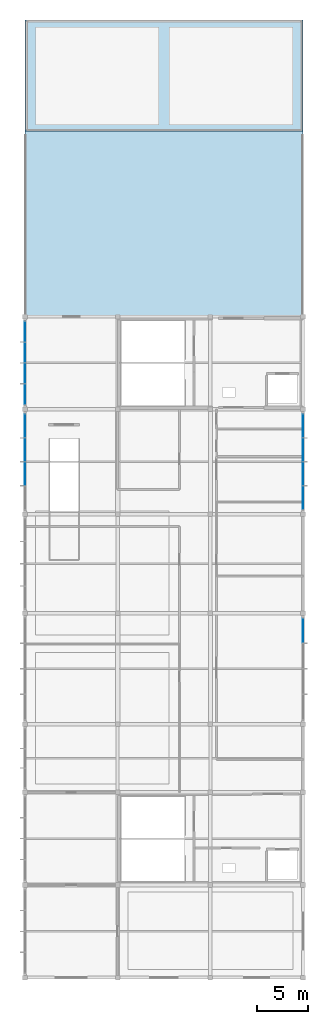
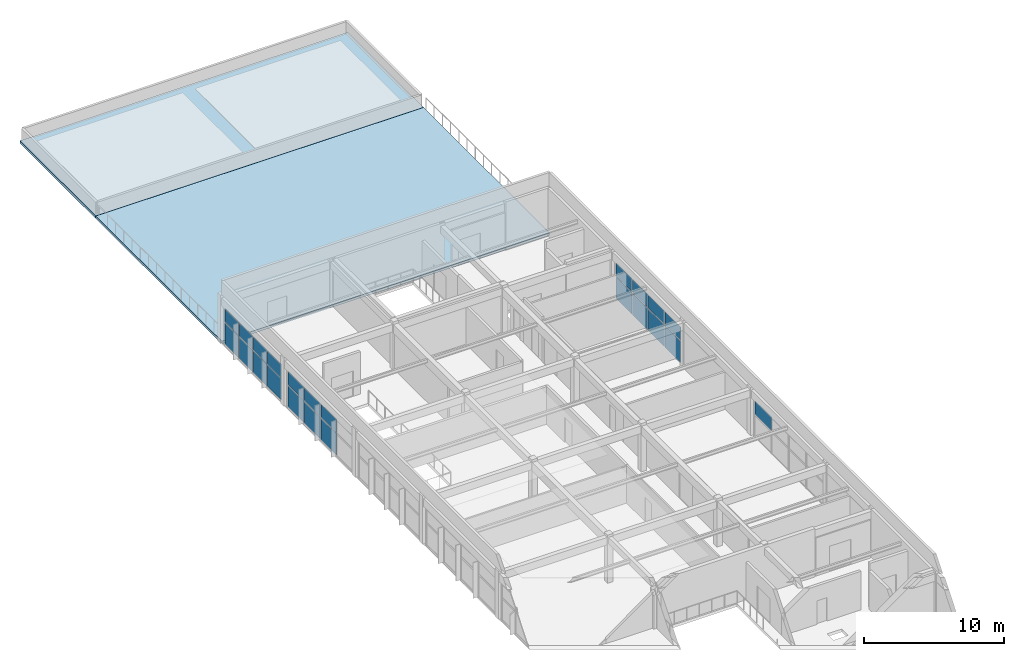
# One storey, part 6 of 10: 23 plates, 2 slabs, 4 elements without a shape of their own.
"""IFC4 building model written with IfcOpenShell, lengths in metres."""

import ifcopenshell
import ifcopenshell.guid

model = None  # the IFC model being written
_history = None  # IfcOwnerHistory: only IFC2X3 demands one
_inside = {}  # id of a spatial element -> (the spatial element, [elements in it])
_under = {}  # id of a project, library or spatial element -> (it, [spatial elements below it])
_declared = {}  # id of a project -> (the project, [libraries it declares])
_typed = {}  # id of a type object -> (the type object, [elements of that type])
_made_of = {}  # id of a material, layer set ... -> (it, [elements and type objects made of it])


def new_model(schema):
    """Start an empty IFC model of exactly this schema.

    Asked for "IFC4X3", IfcOpenShell would pick the latest addendum, in which some entities
    have other attributes; the version numbers below select the first issue.
    IFC2X3 requires an IfcOwnerHistory on every rooted entity: one is made here for all.
    """
    global model, _history
    if schema == "IFC4X3":
        model = ifcopenshell.file(schema_version=(4, 3, 0, 0))
    else:
        model = ifcopenshell.file(schema=schema)
    _inside.clear()
    _under.clear()
    _declared.clear()
    _typed.clear()
    _made_of.clear()
    _history = None
    if model.schema == "IFC2X3":
        org = make("IfcOrganization", Name="unknown")
        user = make(
            "IfcPersonAndOrganization",
            ThePerson=make("IfcPerson", FamilyName="unknown"),
            TheOrganization=org,
        )
        app = make(
            "IfcApplication",
            ApplicationDeveloper=org,
            Version="unknown",
            ApplicationFullName="unknown",
            ApplicationIdentifier="unknown",
        )
        _history = make(
            "IfcOwnerHistory",
            OwningUser=user,
            OwningApplication=app,
            ChangeAction="ADDED",
            CreationDate=0,
        )
    return model


def make(cls, **values):
    """One entity of the class cls with the attributes given. An attribute that is None is left unset."""
    return model.create_entity(
        cls, **{name: value for name, value in values.items() if value is not None}
    )


def rooted(cls, **values):
    """An entity with a GlobalId (a new one), such as an element, a storey or a relation."""
    return make(cls, GlobalId=ifcopenshell.guid.new(), OwnerHistory=_history, **values)


def si_unit(unit_type, name, prefix=None):
    """IfcSIUnit, for example si_unit("LENGTHUNIT", "METRE", prefix="MILLI")."""
    return make("IfcSIUnit", UnitType=unit_type, Prefix=prefix, Name=name)


def assignment(units):
    """IfcUnitAssignment: the units of a project."""
    return None if units is None else make("IfcUnitAssignment", Units=units)


def point(xyz):
    """IfcCartesianPoint."""
    return None if xyz is None else make("IfcCartesianPoint", Coordinates=xyz)


def direction(xyz):
    """IfcDirection."""
    return None if xyz is None else make("IfcDirection", DirectionRatios=xyz)


def frame(location, z_axis=None, x_axis=None):
    """IfcAxis2Placement3D, a coordinate frame: its origin and axes. An axis left out is left unset."""
    return make(
        "IfcAxis2Placement3D",
        Location=point(location),
        Axis=direction(z_axis),
        RefDirection=direction(x_axis),
    )


def origin():
    """The frame at (0, 0, 0) with its axes left unset."""
    return frame((0.0, 0.0, 0.0))


def place(relative_to, where):
    """IfcLocalPlacement: puts the frame where relative to a parent placement (None: the world)."""
    return make(
        "IfcLocalPlacement", PlacementRelTo=relative_to, RelativePlacement=where
    )


def context(
    kind, dimensions, precision=None, world=None, true_north=None, identifier=None
):
    """IfcGeometricRepresentationContext, for example the 3D "Model" context."""
    return make(
        "IfcGeometricRepresentationContext",
        ContextIdentifier=identifier,
        ContextType=kind,
        CoordinateSpaceDimension=dimensions,
        Precision=precision,
        WorldCoordinateSystem=world,
        TrueNorth=true_north,
    )


def subcontext(parent, identifier, kind, view, scale=None):
    """IfcGeometricRepresentationSubContext, for example "Body" below "Model"."""
    return make(
        "IfcGeometricRepresentationSubContext",
        ContextIdentifier=identifier,
        ContextType=kind,
        ParentContext=parent,
        TargetScale=scale,
        TargetView=view,
    )


def project(units=None, contexts=None):
    """IfcProject with its units and contexts."""
    return rooted(
        "IfcProject",
        Name="project",
        RepresentationContexts=contexts,
        UnitsInContext=assignment(units),
    )


def spatial(cls, under=None, at=None, **own):
    """A site, building, storey or space (cls), placed at a placement, below another one or the project."""
    s = rooted(cls, ObjectPlacement=at, **own)
    if under is not None:
        _under.setdefault(under.id(), (under, []))[1].append(s)
    return s


def polyline(points):
    """IfcPolyline through the points."""
    return make("IfcPolyline", Points=[point(p) for p in points])


def outline(outer, holes=None, kind="AREA"):
    """IfcArbitraryClosedProfileDef: a profile drawn as a closed curve; with holes, ...WithVoids."""
    if holes is None:
        return make("IfcArbitraryClosedProfileDef", ProfileType=kind, OuterCurve=outer)
    return make(
        "IfcArbitraryProfileDefWithVoids",
        ProfileType=kind,
        OuterCurve=outer,
        InnerCurves=holes,
    )


def extrude(swept, where, along, depth):
    """IfcExtrudedAreaSolid: the profile swept, set in the frame where, extruded along a direction by depth."""
    return make(
        "IfcExtrudedAreaSolid",
        SweptArea=swept,
        Position=where,
        ExtrudedDirection=direction(along),
        Depth=depth,
    )


def shape(context_of_items, identifier, shape_type, items):
    """IfcShapeRepresentation: the items that make up one representation, for example the "Body"."""
    return make(
        "IfcShapeRepresentation",
        ContextOfItems=context_of_items,
        RepresentationIdentifier=identifier,
        RepresentationType=shape_type,
        Items=items,
    )


def material(Name=None, Category=None):
    """IfcMaterial."""
    return make("IfcMaterial", Name=Name, Category=Category)


def layer(
    of_material, thickness, ventilated=None, Name=None, Category=None, Priority=None
):
    """IfcMaterialLayer: one layer of a wall or slab, of a material (None: an air gap)."""
    return make(
        "IfcMaterialLayer",
        Material=of_material,
        LayerThickness=thickness,
        IsVentilated=ventilated,
        Name=Name,
        Category=Category,
        Priority=Priority,
    )


def layer_set(layers, Name=None):
    """IfcMaterialLayerSet."""
    return make("IfcMaterialLayerSet", MaterialLayers=layers, LayerSetName=Name)


def made_of(thing, what):
    """Note that an element or type object is made of a material, layer set ...; save() writes the relation."""
    if what is not None:
        _made_of.setdefault(what.id(), (what, []))[1].append(thing)
    return thing


def type_object(cls, material=None, **own):
    """A type object (cls), such as IfcWallType, which elements share."""
    return made_of(rooted(cls, **own), material)


def element(
    cls,
    number,
    at=None,
    inside=None,
    cuts=None,
    type_object=None,
    material=None,
    context=None,
    identifier="Body",
    shape_type=None,
    held_by="IfcProductDefinitionShape",
    body=None,
    shapes=None,
    **own,
):
    """One element of the class cls, such as IfcWall. Its Tag is "e" and its number.

    at: its placement. inside: the storey or other place that contains it. cuts: it is an
    opening in that element (IfcRelVoidsElement). A single representation is given by context,
    identifier, shape_type and body (its items); several are given by shapes. held_by: the class
    of the entity that holds the representations. save() writes the other relations.
    """
    e = rooted(cls, Tag="e%d" % number, ObjectPlacement=at, **own)
    if body is not None:
        shapes = [shape(context, identifier, shape_type, body)]
    if shapes is not None:
        e.Representation = make(held_by, Representations=shapes)
    if inside is not None:
        _inside.setdefault(inside.id(), (inside, []))[1].append(e)
    if cuts is not None:
        rooted(
            "IfcRelVoidsElement", RelatingBuildingElement=cuts, RelatedOpeningElement=e
        )
    if type_object is not None:
        _typed.setdefault(type_object.id(), (type_object, []))[1].append(e)
    return made_of(e, material)


def aggregate(whole, parts):
    """IfcRelAggregates: a whole, such as a stair, and the parts it consists of."""
    return rooted("IfcRelAggregates", RelatingObject=whole, RelatedObjects=parts)


def save(model, path):
    """Write the relations noted so far, then the file.

    IfcRelAggregates (storeys below a building ...), IfcRelContainedInSpatialStructure (elements
    in a storey), IfcRelDefinesByType, IfcRelAssociatesMaterial and IfcRelDeclares: one each for
    every whole, place, type object, material and project.
    """
    for whole, parts in _under.values():
        aggregate(whole, parts)
    for where, things in _inside.values():
        rooted(
            "IfcRelContainedInSpatialStructure",
            RelatedElements=things,
            RelatingStructure=where,
        )
    for kind, things in _typed.values():
        rooted("IfcRelDefinesByType", RelatedObjects=things, RelatingType=kind)
    for what, things in _made_of.values():
        rooted("IfcRelAssociatesMaterial", RelatedObjects=things, RelatingMaterial=what)
    for by, libraries in _declared.values():
        rooted("IfcRelDeclares", RelatingContext=by, RelatedDefinitions=libraries)
    model.write(path)


model = new_model("IFC4")

# Units and contexts
model_context = context("Model", 3, precision=1e-05, world=origin(), true_north=direction((0.0, 1.0)))
body_context = subcontext(model_context, "Body", "Model", "MODEL_VIEW")
ifc_project = project(units=[si_unit("LENGTHUNIT", "METRE"), si_unit("AREAUNIT", "SQUARE_METRE"), si_unit("VOLUMEUNIT", "CUBIC_METRE"), si_unit("PLANEANGLEUNIT", "RADIAN"), si_unit("MASSUNIT", "GRAM", prefix="KILO")], contexts=[model_context])

# Site, building, storey
site_placement = place(None, origin())
site = spatial("IfcSite", under=ifc_project, at=site_placement, CompositionType="ELEMENT")
building_placement = place(site_placement, origin())
building = spatial("IfcBuilding", under=site, at=building_placement, Name="Suirenkawa Promenade Aquatics Centre", CompositionType="ELEMENT")
storey_placement = place(building_placement, frame((0.0, 0.0, 18.60009765625)))
storey = spatial("IfcBuildingStorey", under=building, at=storey_placement, Name="L04", CompositionType="ELEMENT", Elevation=18.60009765625)

# Curtain wall, plate
ifc_material_1 = material(Name="Anodised aluminium 6063-T6", Category="aluminium")
curtain_wall_type_1 = type_object("IfcCurtainWallType", Name="CWAT-V5EL04-82", PredefinedType="NOTDEFINED", material=ifc_material_1)
curtain_wall_1_placement = place(storey_placement, origin())
curtain_wall_1 = element("IfcCurtainWall", 1, at=curtain_wall_1_placement, inside=storey, type_object=curtain_wall_type_1, Name="Curtain wall CWA-82 CW-149", PredefinedType="NOTDEFINED")
ifc_material_2 = material(Name="Low-E thermally broken double glazing", Category="glass")
ifc_layer_1 = layer(ifc_material_2, 0.028076171875, Name="Low-E thermally broken double glazing", Category="glass")
ifc_layer_set_1 = layer_set([ifc_layer_1], Name="Low-E thermally broken double glazing")
plate_type_1 = type_object("IfcPlateType", Name="CWP-LOWE-28", PredefinedType="CURTAIN_PANEL", material=ifc_layer_set_1)
plate_1_placement = place(storey_placement, frame((27.0, 39.15087890625, 1.989990234375), z_axis=(0.0, 0.0, 1.0), x_axis=(0.0, -1.0, 0.0)))
plate_1 = element("IfcPlate", 2, at=plate_1_placement, type_object=plate_type_1, Name="Top glazed panel CP-02 CWP-03047", PredefinedType="CURTAIN_PANEL", context=body_context, shape_type="SweptSolid", body=[
    extrude(outline(polyline([(0.0400390625, 0.0), (2.435546875, 0.0), (2.435546875, 1.14501953125), (0.0400390625, 1.14501953125), (0.0400390625, 0.0)])), frame((0.0, 0.01416015625, 0.0), z_axis=(0.0, -1.0, 0.0), x_axis=(1.0, 0.0, 0.0)), (0.0, 0.0, 1.0), 0.028076171875),
])
aggregate(curtain_wall_1, [plate_1])

# Curtain wall, plates
curtain_wall_type_2 = type_object("IfcCurtainWallType", Name="CWAT-V5EL04-85", PredefinedType="NOTDEFINED", material=ifc_material_1)
curtain_wall_2_placement = place(storey_placement, origin())
curtain_wall_2 = element("IfcCurtainWall", 3, at=curtain_wall_2_placement, inside=storey, type_object=curtain_wall_type_2, Name="Curtain wall CWA-85 CW-152", PredefinedType="NOTDEFINED")
plate_2_placement = place(storey_placement, frame((27.0, 58.950927734375, 0.039794921875), z_axis=(0.0, 0.0, 1.0), x_axis=(0.0, -1.0, 0.0)))
plate_2 = element("IfcPlate", 4, at=plate_2_placement, type_object=plate_type_1, Name="Glazed panel CP-02 CWP-03112", PredefinedType="CURTAIN_PANEL", context=body_context, shape_type="SweptSolid", body=[
    extrude(outline(polyline([(0.0400390625, 0.0), (2.285400390625, 0.0), (2.285400390625, 1.8701171875), (0.0400390625, 1.8701171875), (0.0400390625, 0.0)])), frame((0.0, 0.01416015625, 0.0), z_axis=(0.0, -1.0, 0.0), x_axis=(1.0, 0.0, 0.0)), (0.0, 0.0, 1.0), 0.028076171875),
])
plate_3_placement = place(storey_placement, frame((27.0, 58.950927734375, 1.989990234375), z_axis=(0.0, 0.0, 1.0), x_axis=(0.0, -1.0, 0.0)))
plate_3 = element("IfcPlate", 5, at=plate_3_placement, type_object=plate_type_1, Name="Top glazed panel CP-02 CWP-03113", PredefinedType="CURTAIN_PANEL", context=body_context, shape_type="SweptSolid", body=[
    extrude(outline(polyline([(0.0400390625, 0.0), (2.285400390625, 0.0), (2.285400390625, 1.14501953125), (0.0400390625, 1.14501953125), (0.0400390625, 0.0)])), frame((0.0, 0.01416015625, 0.0), z_axis=(0.0, -1.0, 0.0), x_axis=(1.0, 0.0, 0.0)), (0.0, 0.0, 1.0), 0.028076171875),
])
plate_4_placement = place(storey_placement, frame((27.0, 56.62548828125, 0.039794921875), z_axis=(0.0, 0.0, 1.0), x_axis=(0.0, -1.0, 0.0)))
plate_4 = element("IfcPlate", 6, at=plate_4_placement, type_object=plate_type_1, Name="Glazed panel CP-02 CWP-03114", PredefinedType="CURTAIN_PANEL", context=body_context, shape_type="SweptSolid", body=[
    extrude(outline(polyline([(0.0400390625, 0.0), (2.285400390625, 0.0), (2.285400390625, 1.8701171875), (0.0400390625, 1.8701171875), (0.0400390625, 0.0)])), frame((0.0, 0.01416015625, 0.0), z_axis=(0.0, -1.0, 0.0), x_axis=(1.0, 0.0, 0.0)), (0.0, 0.0, 1.0), 0.028076171875),
])
plate_5_placement = place(storey_placement, frame((27.0, 56.62548828125, 1.989990234375), z_axis=(0.0, 0.0, 1.0), x_axis=(0.0, -1.0, 0.0)))
plate_5 = element("IfcPlate", 7, at=plate_5_placement, type_object=plate_type_1, Name="Top glazed panel CP-02 CWP-03115", PredefinedType="CURTAIN_PANEL", context=body_context, shape_type="SweptSolid", body=[
    extrude(outline(polyline([(0.0400390625, 0.0), (2.285400390625, 0.0), (2.285400390625, 1.14501953125), (0.0400390625, 1.14501953125), (0.0400390625, 0.0)])), frame((0.0, 0.01416015625, 0.0), z_axis=(0.0, -1.0, 0.0), x_axis=(1.0, 0.0, 0.0)), (0.0, 0.0, 1.0), 0.028076171875),
])
plate_6_placement = place(storey_placement, frame((27.0, 54.300048828125, 0.039794921875), z_axis=(0.0, 0.0, 1.0), x_axis=(0.0, -1.0, 0.0)))
plate_6 = element("IfcPlate", 8, at=plate_6_placement, type_object=plate_type_1, Name="Glazed panel CP-02 CWP-03116", PredefinedType="CURTAIN_PANEL", context=body_context, shape_type="SweptSolid", body=[
    extrude(outline(polyline([(0.0400390625, 0.0), (2.285400390625, 0.0), (2.285400390625, 1.8701171875), (0.0400390625, 1.8701171875), (0.0400390625, 0.0)])), frame((0.0, 0.01416015625, 0.0), z_axis=(0.0, -1.0, 0.0), x_axis=(1.0, 0.0, 0.0)), (0.0, 0.0, 1.0), 0.028076171875),
])
plate_7_placement = place(storey_placement, frame((27.0, 54.300048828125, 1.989990234375), z_axis=(0.0, 0.0, 1.0), x_axis=(0.0, -1.0, 0.0)))
plate_7 = element("IfcPlate", 9, at=plate_7_placement, type_object=plate_type_1, Name="Top glazed panel CP-02 CWP-03117", PredefinedType="CURTAIN_PANEL", context=body_context, shape_type="SweptSolid", body=[
    extrude(outline(polyline([(0.0400390625, 0.0), (2.285400390625, 0.0), (2.285400390625, 1.14501953125), (0.0400390625, 1.14501953125), (0.0400390625, 0.0)])), frame((0.0, 0.01416015625, 0.0), z_axis=(0.0, -1.0, 0.0), x_axis=(1.0, 0.0, 0.0)), (0.0, 0.0, 1.0), 0.028076171875),
])
plate_8_placement = place(storey_placement, frame((27.0, 51.974609375, 0.039794921875), z_axis=(0.0, 0.0, 1.0), x_axis=(0.0, -1.0, 0.0)))
plate_8 = element("IfcPlate", 10, at=plate_8_placement, type_object=plate_type_1, Name="Glazed panel CP-02 CWP-03118", PredefinedType="CURTAIN_PANEL", context=body_context, shape_type="SweptSolid", body=[
    extrude(outline(polyline([(0.0400390625, 0.0), (2.285400390625, 0.0), (2.285400390625, 1.8701171875), (0.0400390625, 1.8701171875), (0.0400390625, 0.0)])), frame((0.0, 0.01416015625, 0.0), z_axis=(0.0, -1.0, 0.0), x_axis=(1.0, 0.0, 0.0)), (0.0, 0.0, 1.0), 0.028076171875),
])
plate_9_placement = place(storey_placement, frame((27.0, 51.974609375, 1.989990234375), z_axis=(0.0, 0.0, 1.0), x_axis=(0.0, -1.0, 0.0)))
plate_9 = element("IfcPlate", 11, at=plate_9_placement, type_object=plate_type_1, Name="Top glazed panel CP-02 CWP-03119", PredefinedType="CURTAIN_PANEL", context=body_context, shape_type="SweptSolid", body=[
    extrude(outline(polyline([(0.0400390625, 0.0), (2.285400390625, 0.0), (2.285400390625, 1.14501953125), (0.0400390625, 1.14501953125), (0.0400390625, 0.0)])), frame((0.0, 0.01416015625, 0.0), z_axis=(0.0, -1.0, 0.0), x_axis=(1.0, 0.0, 0.0)), (0.0, 0.0, 1.0), 0.028076171875),
])
aggregate(curtain_wall_2, [plate_2, plate_3, plate_4, plate_5, plate_6, plate_7, plate_8, plate_9])

curtain_wall_type_3 = type_object("IfcCurtainWallType", Name="CWAT-V5WL04-84", PredefinedType="NOTDEFINED", material=ifc_material_1)
curtain_wall_3_placement = place(storey_placement, origin())
curtain_wall_3 = element("IfcCurtainWall", 12, at=curtain_wall_3_placement, inside=storey, type_object=curtain_wall_type_3, Name="Curtain wall CWA-84 CW-151", PredefinedType="NOTDEFINED")
ifc_material_3 = material(Name="Ceramic-fritted low-SHGC double glazing", Category="glass")
ifc_layer_2 = layer(ifc_material_3, 0.035888671875, Name="Ceramic-fritted low-SHGC double glazing", Category="glass")
ifc_layer_set_2 = layer_set([ifc_layer_2], Name="Ceramic-fritted low-SHGC double glazing")
plate_type_2 = type_object("IfcPlateType", Name="CWP-SHOJI-36", PredefinedType="CURTAIN_PANEL", material=ifc_layer_set_2)
plate_10_placement = place(storey_placement, frame((0.0, 51.974609375, 0.039794921875), z_axis=(0.0, 0.0, 1.0), x_axis=(0.0, 1.0, 0.0)))
plate_10 = element("IfcPlate", 13, at=plate_10_placement, type_object=plate_type_2, Name="Glazed panel CP-01 CWP-03092", PredefinedType="CURTAIN_PANEL", context=body_context, shape_type="SweptSolid", body=[
    extrude(outline(polyline([(0.0400390625, 0.0), (2.285400390625, 0.0), (2.285400390625, 1.8701171875), (0.0400390625, 1.8701171875), (0.0400390625, 0.0)])), frame((0.0, 0.01806640625, 0.0), z_axis=(0.0, -1.0, 0.0), x_axis=(1.0, 0.0, 0.0)), (0.0, 0.0, 1.0), 0.035888671875),
])
plate_11_placement = place(storey_placement, frame((0.0, 51.974609375, 1.989990234375), z_axis=(0.0, 0.0, 1.0), x_axis=(0.0, 1.0, 0.0)))
plate_11 = element("IfcPlate", 14, at=plate_11_placement, type_object=plate_type_2, Name="Top glazed panel CP-01 CWP-03093", PredefinedType="CURTAIN_PANEL", context=body_context, shape_type="SweptSolid", body=[
    extrude(outline(polyline([(0.0400390625, 0.0), (2.285400390625, 0.0), (2.285400390625, 1.14501953125), (0.0400390625, 1.14501953125), (0.0400390625, 0.0)])), frame((0.0, 0.01806640625, 0.0), z_axis=(0.0, -1.0, 0.0), x_axis=(1.0, 0.0, 0.0)), (0.0, 0.0, 1.0), 0.035888671875),
])
plate_12_placement = place(storey_placement, frame((0.0, 54.300048828125, 0.039794921875), z_axis=(0.0, 0.0, 1.0), x_axis=(0.0, 1.0, 0.0)))
plate_12 = element("IfcPlate", 15, at=plate_12_placement, type_object=plate_type_2, Name="Glazed panel CP-01 CWP-03094", PredefinedType="CURTAIN_PANEL", context=body_context, shape_type="SweptSolid", body=[
    extrude(outline(polyline([(0.0400390625, 0.0), (2.285400390625, 0.0), (2.285400390625, 1.8701171875), (0.0400390625, 1.8701171875), (0.0400390625, 0.0)])), frame((0.0, 0.01806640625, 0.0), z_axis=(0.0, -1.0, 0.0), x_axis=(1.0, 0.0, 0.0)), (0.0, 0.0, 1.0), 0.035888671875),
])
plate_13_placement = place(storey_placement, frame((0.0, 54.300048828125, 1.989990234375), z_axis=(0.0, 0.0, 1.0), x_axis=(0.0, 1.0, 0.0)))
plate_13 = element("IfcPlate", 16, at=plate_13_placement, type_object=plate_type_2, Name="Top glazed panel CP-01 CWP-03095", PredefinedType="CURTAIN_PANEL", context=body_context, shape_type="SweptSolid", body=[
    extrude(outline(polyline([(0.0400390625, 0.0), (2.285400390625, 0.0), (2.285400390625, 1.14501953125), (0.0400390625, 1.14501953125), (0.0400390625, 0.0)])), frame((0.0, 0.01806640625, 0.0), z_axis=(0.0, -1.0, 0.0), x_axis=(1.0, 0.0, 0.0)), (0.0, 0.0, 1.0), 0.035888671875),
])
plate_14_placement = place(storey_placement, frame((0.0, 56.62548828125, 0.039794921875), z_axis=(0.0, 0.0, 1.0), x_axis=(0.0, 1.0, 0.0)))
plate_14 = element("IfcPlate", 17, at=plate_14_placement, type_object=plate_type_2, Name="Glazed panel CP-01 CWP-03096", PredefinedType="CURTAIN_PANEL", context=body_context, shape_type="SweptSolid", body=[
    extrude(outline(polyline([(0.0400390625, 0.0), (2.285400390625, 0.0), (2.285400390625, 1.8701171875), (0.0400390625, 1.8701171875), (0.0400390625, 0.0)])), frame((0.0, 0.01806640625, 0.0), z_axis=(0.0, -1.0, 0.0), x_axis=(1.0, 0.0, 0.0)), (0.0, 0.0, 1.0), 0.035888671875),
])
plate_15_placement = place(storey_placement, frame((0.0, 56.62548828125, 1.989990234375), z_axis=(0.0, 0.0, 1.0), x_axis=(0.0, 1.0, 0.0)))
plate_15 = element("IfcPlate", 18, at=plate_15_placement, type_object=plate_type_2, Name="Top glazed panel CP-01 CWP-03097", PredefinedType="CURTAIN_PANEL", context=body_context, shape_type="SweptSolid", body=[
    extrude(outline(polyline([(0.0400390625, 0.0), (2.285400390625, 0.0), (2.285400390625, 1.14501953125), (0.0400390625, 1.14501953125), (0.0400390625, 0.0)])), frame((0.0, 0.01806640625, 0.0), z_axis=(0.0, -1.0, 0.0), x_axis=(1.0, 0.0, 0.0)), (0.0, 0.0, 1.0), 0.035888671875),
])
aggregate(curtain_wall_3, [plate_10, plate_11, plate_12, plate_13, plate_14, plate_15])

curtain_wall_type_4 = type_object("IfcCurtainWallType", Name="CWAT-V5WL04-79", PredefinedType="NOTDEFINED", material=ifc_material_1)
curtain_wall_4_placement = place(storey_placement, origin())
curtain_wall_4 = element("IfcCurtainWall", 19, at=curtain_wall_4_placement, inside=storey, type_object=curtain_wall_type_4, Name="Curtain wall CWA-79 CW-153", PredefinedType="NOTDEFINED")
plate_16_placement = place(storey_placement, frame((0.0, 59.84912109375, 0.039794921875), z_axis=(0.0, 0.0, 1.0), x_axis=(0.0, 1.0, 0.0)))
plate_16 = element("IfcPlate", 20, at=plate_16_placement, type_object=plate_type_2, Name="Glazed panel CP-01 CWP-03134", PredefinedType="CURTAIN_PANEL", context=body_context, shape_type="SweptSolid", body=[
    extrude(outline(polyline([(0.0400390625, 0.0), (1.985595703125, 0.0), (1.985595703125, 1.8701171875), (0.0400390625, 1.8701171875), (0.0400390625, 0.0)])), frame((0.0, 0.01806640625, 0.0), z_axis=(0.0, -1.0, 0.0), x_axis=(1.0, 0.0, 0.0)), (0.0, 0.0, 1.0), 0.035888671875),
])
plate_17_placement = place(storey_placement, frame((0.0, 59.84912109375, 1.989990234375), z_axis=(0.0, 0.0, 1.0), x_axis=(0.0, 1.0, 0.0)))
plate_17 = element("IfcPlate", 21, at=plate_17_placement, type_object=plate_type_2, Name="Top glazed panel CP-01 CWP-03135", PredefinedType="CURTAIN_PANEL", context=body_context, shape_type="SweptSolid", body=[
    extrude(outline(polyline([(0.0400390625, 0.0), (1.985595703125, 0.0), (1.985595703125, 1.14501953125), (0.0400390625, 1.14501953125), (0.0400390625, 0.0)])), frame((0.0, 0.01806640625, 0.0), z_axis=(0.0, -1.0, 0.0), x_axis=(1.0, 0.0, 0.0)), (0.0, 0.0, 1.0), 0.035888671875),
])
plate_18_placement = place(storey_placement, frame((0.0, 61.87451171875, 0.039794921875), z_axis=(0.0, 0.0, 1.0), x_axis=(0.0, 1.0, 0.0)))
plate_18 = element("IfcPlate", 22, at=plate_18_placement, type_object=plate_type_2, Name="Glazed panel CP-01 CWP-03136", PredefinedType="CURTAIN_PANEL", context=body_context, shape_type="SweptSolid", body=[
    extrude(outline(polyline([(0.0400390625, 0.0), (1.985595703125, 0.0), (1.985595703125, 1.8701171875), (0.0400390625, 1.8701171875), (0.0400390625, 0.0)])), frame((0.0, 0.01806640625, 0.0), z_axis=(0.0, -1.0, 0.0), x_axis=(1.0, 0.0, 0.0)), (0.0, 0.0, 1.0), 0.035888671875),
])
plate_19_placement = place(storey_placement, frame((0.0, 61.87451171875, 1.989990234375), z_axis=(0.0, 0.0, 1.0), x_axis=(0.0, 1.0, 0.0)))
plate_19 = element("IfcPlate", 23, at=plate_19_placement, type_object=plate_type_2, Name="Top glazed panel CP-01 CWP-03137", PredefinedType="CURTAIN_PANEL", context=body_context, shape_type="SweptSolid", body=[
    extrude(outline(polyline([(0.0400390625, 0.0), (1.985595703125, 0.0), (1.985595703125, 1.14501953125), (0.0400390625, 1.14501953125), (0.0400390625, 0.0)])), frame((0.0, 0.01806640625, 0.0), z_axis=(0.0, -1.0, 0.0), x_axis=(1.0, 0.0, 0.0)), (0.0, 0.0, 1.0), 0.035888671875),
])
plate_20_placement = place(storey_placement, frame((0.0, 63.89990234375, 0.039794921875), z_axis=(0.0, 0.0, 1.0), x_axis=(0.0, 1.0, 0.0)))
plate_20 = element("IfcPlate", 24, at=plate_20_placement, type_object=plate_type_2, Name="Glazed panel CP-01 CWP-03138", PredefinedType="CURTAIN_PANEL", context=body_context, shape_type="SweptSolid", body=[
    extrude(outline(polyline([(0.0400390625, 0.0), (1.985595703125, 0.0), (1.985595703125, 1.8701171875), (0.0400390625, 1.8701171875), (0.0400390625, 0.0)])), frame((0.0, 0.01806640625, 0.0), z_axis=(0.0, -1.0, 0.0), x_axis=(1.0, 0.0, 0.0)), (0.0, 0.0, 1.0), 0.035888671875),
])
plate_21_placement = place(storey_placement, frame((0.0, 63.89990234375, 1.989990234375), z_axis=(0.0, 0.0, 1.0), x_axis=(0.0, 1.0, 0.0)))
plate_21 = element("IfcPlate", 25, at=plate_21_placement, type_object=plate_type_2, Name="Top glazed panel CP-01 CWP-03139", PredefinedType="CURTAIN_PANEL", context=body_context, shape_type="SweptSolid", body=[
    extrude(outline(polyline([(0.0400390625, 0.0), (1.985595703125, 0.0), (1.985595703125, 1.14501953125), (0.0400390625, 1.14501953125), (0.0400390625, 0.0)])), frame((0.0, 0.01806640625, 0.0), z_axis=(0.0, -1.0, 0.0), x_axis=(1.0, 0.0, 0.0)), (0.0, 0.0, 1.0), 0.035888671875),
])
plate_22_placement = place(storey_placement, frame((0.0, 65.925537109375, 0.039794921875), z_axis=(0.0, 0.0, 1.0), x_axis=(0.0, 1.0, 0.0)))
plate_22 = element("IfcPlate", 26, at=plate_22_placement, type_object=plate_type_2, Name="Glazed panel CP-01 CWP-03140", PredefinedType="CURTAIN_PANEL", context=body_context, shape_type="SweptSolid", body=[
    extrude(outline(polyline([(0.0400390625, 0.0), (1.985595703125, 0.0), (1.985595703125, 1.8701171875), (0.0400390625, 1.8701171875), (0.0400390625, 0.0)])), frame((0.0, 0.01806640625, 0.0), z_axis=(0.0, -1.0, 0.0), x_axis=(1.0, 0.0, 0.0)), (0.0, 0.0, 1.0), 0.035888671875),
])
plate_23_placement = place(storey_placement, frame((0.0, 65.925537109375, 1.989990234375), z_axis=(0.0, 0.0, 1.0), x_axis=(0.0, 1.0, 0.0)))
plate_23 = element("IfcPlate", 27, at=plate_23_placement, type_object=plate_type_2, Name="Top glazed panel CP-01 CWP-03141", PredefinedType="CURTAIN_PANEL", context=body_context, shape_type="SweptSolid", body=[
    extrude(outline(polyline([(0.0400390625, 0.0), (1.985595703125, 0.0), (1.985595703125, 1.14501953125), (0.0400390625, 1.14501953125), (0.0400390625, 0.0)])), frame((0.0, 0.01806640625, 0.0), z_axis=(0.0, -1.0, 0.0), x_axis=(1.0, 0.0, 0.0)), (0.0, 0.0, 1.0), 0.035888671875),
])
aggregate(curtain_wall_4, [plate_16, plate_17, plate_18, plate_19, plate_20, plate_21, plate_22, plate_23])

# Slabs
ifc_material_4 = material(Name="Concrete M35", Category="concrete")
ifc_layer_3 = layer(ifc_material_4, 0.22998046875, Name="Concrete M35", Category="concrete")
ifc_layer_set_3 = layer_set([ifc_layer_3], Name="Concrete M35")
slab_type_1 = type_object("IfcSlabType", Name="SLT-ROOF-FLAT-230", PredefinedType="ROOF", material=ifc_layer_set_3)
slab_1_placement = place(storey_placement, frame((0.0, 0.0, -0.22998046875)))
element("IfcSlab", 28, at=slab_1_placement, inside=storey, type_object=slab_type_1, Name="V5 L04 north roof SL-ROOF-04 SL-0075", PredefinedType="ROOF", context=body_context, shape_type="SweptSolid", body=[
    extrude(outline(polyline([(0.0, 86.39990234375), (27.0, 86.39990234375), (27.0, 97.199951171875), (0.0, 97.199951171875), (0.0, 86.39990234375)])), origin(), (0.0, 0.0, 1.0), 0.22998046875),
])
ifc_material_5 = material(Name="Waterproof concrete M40", Category="concrete")
ifc_layer_4 = layer(ifc_material_5, 0.219970703125, Name="Waterproof concrete M40", Category="concrete")
ifc_layer_set_4 = layer_set([ifc_layer_4], Name="Waterproof concrete M40")
slab_type_2 = type_object("IfcSlabType", Name="SLT-TERR-220", PredefinedType="FLOOR", material=ifc_layer_set_4)
slab_2_placement = place(storey_placement, frame((0.0, 0.0, -0.22021484375)))
element("IfcSlab", 29, at=slab_2_placement, inside=storey, type_object=slab_type_2, Name="V5 L04 rooftop viewing terrace SL-EXT-01 SL-0074", PredefinedType="FLOOR", context=body_context, shape_type="SweptSolid", body=[
    extrude(outline(polyline([(0.0, 68.39990234375), (27.0, 68.39990234375), (27.0, 86.39990234375), (0.0, 86.39990234375), (0.0, 68.39990234375)])), origin(), (0.0, 0.0, 1.0), 0.22021484375),
])

save(model, "model.ifc")
